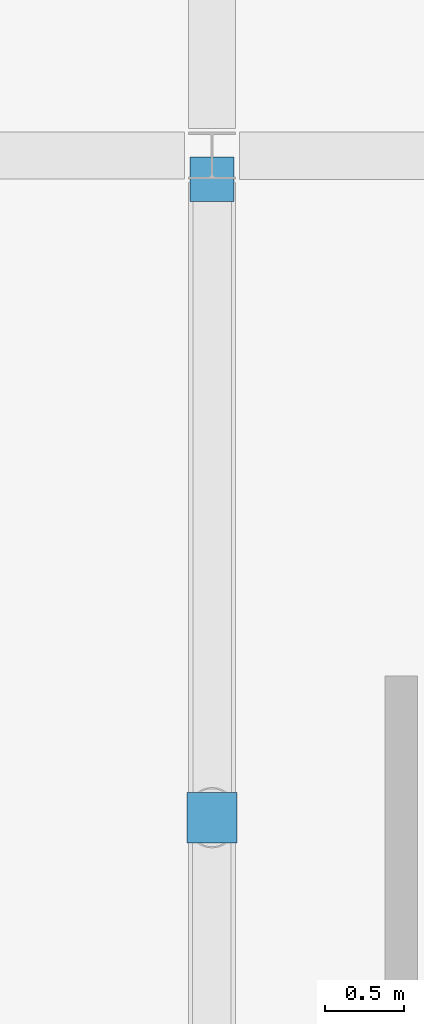
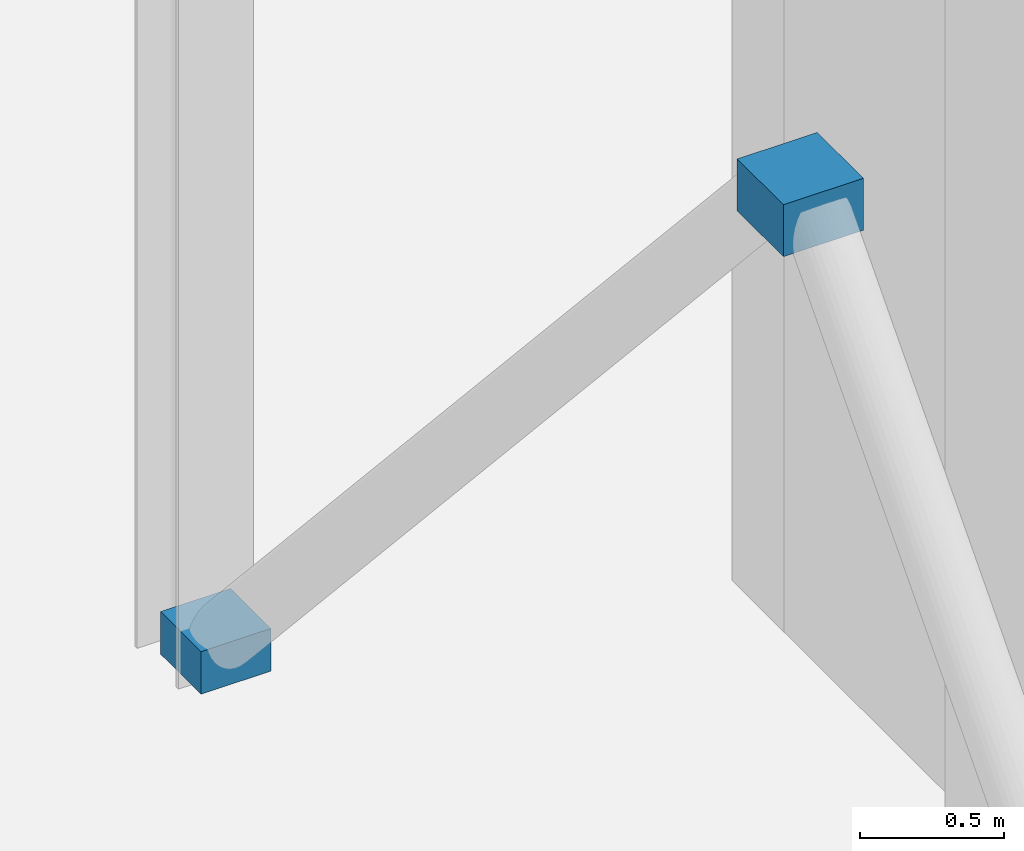
# One storey, part 43 of 57: 2 discrete accessories.
"""IFC4 building model written with IfcOpenShell, lengths in metres."""

from ifc_helpers import new_model, si_unit, direction, frame, origin, origin_2d, place, context, subcontext, project, spatial, rectangle, extrude, material, type_object, element, save


model = new_model("IFC4")

# Units and contexts
model_context = context("Model", 3, precision=1e-05, world=origin(), true_north=direction((0.0, 1.0)))
body_context = subcontext(model_context, "Body", "Model", "MODEL_VIEW")
ifc_project = project(units=[si_unit("LENGTHUNIT", "METRE"), si_unit("AREAUNIT", "SQUARE_METRE"), si_unit("VOLUMEUNIT", "CUBIC_METRE"), si_unit("PLANEANGLEUNIT", "RADIAN"), si_unit("MASSUNIT", "GRAM", prefix="KILO"), si_unit("THERMODYNAMICTEMPERATUREUNIT", "KELVIN")], contexts=[model_context])

# Site, building, storey
site_placement = place(None, origin())
site = spatial("IfcSite", under=ifc_project, at=site_placement, CompositionType="ELEMENT")
building_placement = place(site_placement, origin())
building = spatial("IfcBuilding", under=site, at=building_placement, Name="Lustrewick Department Store", CompositionType="ELEMENT")
storey_placement = place(building_placement, frame((0.0, 0.0, 26.699951171875)))
storey = spatial("IfcBuildingStorey", under=building, at=storey_placement, Name="L06", CompositionType="ELEMENT", Elevation=26.699951171875)

# Discrete accessories
ifc_material = material(Name="Structural steel Q355C", Category="steel")
discrete_accessory_type = type_object("IfcDiscreteAccessoryType", Name="GUS-NODE", PredefinedType="BRACKET", material=ifc_material)
discrete_accessory_1_placement = place(storey_placement, frame((134.39990234375, 67.050048828125, 0.06005859375), z_axis=(0.0, 0.0, 1.0), x_axis=(1.0, 0.0, 0.0)))
element("IfcDiscreteAccessory", 1, at=discrete_accessory_1_placement, inside=storey, type_object=discrete_accessory_type, Name="L06 V4 Brace Base Gusset Plate", PredefinedType="BRACKET", context=body_context, shape_type="SweptSolid", body=[
    extrude(rectangle(XDim=0.280029296875, YDim=0.280029296875, at=origin_2d()), origin(), (0.0, 0.0, 1.0), 0.179931640625),
])
discrete_accessory_2_placement = place(storey_placement, frame((134.39990234375, 63.0, 4.38525390625), z_axis=(0.0, 0.0, 1.0), x_axis=(1.0, 0.0, 0.0)))
element("IfcDiscreteAccessory", 2, at=discrete_accessory_2_placement, inside=storey, type_object=discrete_accessory_type, Name="L06 V4 Chevron Brace Apex Gusset Plate", PredefinedType="BRACKET", context=body_context, shape_type="SweptSolid", body=[
    extrude(rectangle(XDim=0.320068359375, YDim=0.320068359375, at=origin_2d()), origin(), (0.0, 0.0, 1.0), 0.219970703125),
])

save(model, "model.ifc")
